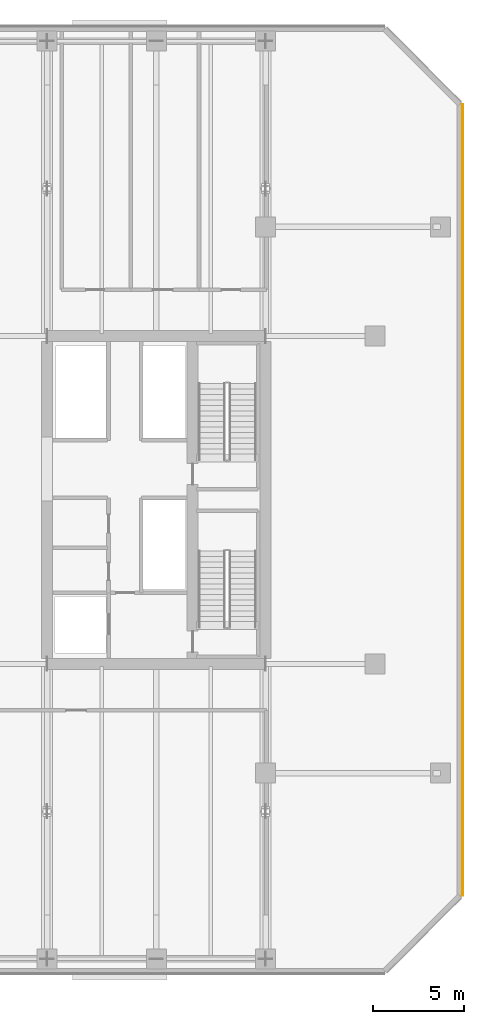
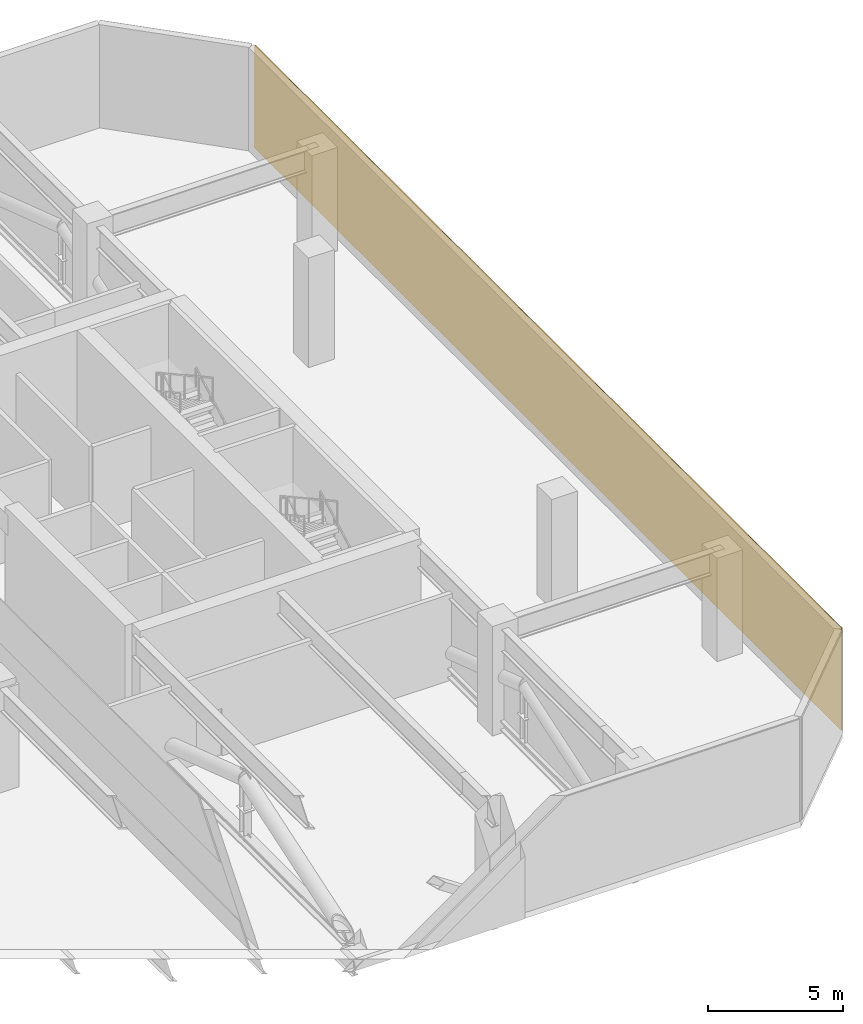
# One storey, part 21 of 22: 1 covering.
"""IFC4 building model written with IfcOpenShell, lengths in metres."""

from ifc_helpers import new_model, si_unit, direction, frame, origin, origin_2d, place, context, subcontext, project, spatial, rectangle, extrude, material, layer, layer_set, type_object, element, save


model = new_model("IFC4")

# Units and contexts
model_context = context("Model", 3, precision=1e-05, world=origin(), true_north=direction((0.0, 1.0)))
body_context = subcontext(model_context, "Body", "Model", "MODEL_VIEW")
ifc_project = project(units=[si_unit("LENGTHUNIT", "METRE"), si_unit("AREAUNIT", "SQUARE_METRE"), si_unit("VOLUMEUNIT", "CUBIC_METRE"), si_unit("PLANEANGLEUNIT", "RADIAN"), si_unit("MASSUNIT", "GRAM", prefix="KILO")], contexts=[model_context])

# Site, building, storey
site_placement = place(None, origin())
site = spatial("IfcSite", under=ifc_project, at=site_placement, CompositionType="ELEMENT")
building_placement = place(site_placement, origin())
building = spatial("IfcBuilding", under=site, at=building_placement, Name="Tanjung Sevakor Pilgrim Tower", CompositionType="ELEMENT")
storey_placement = place(building_placement, frame((0.0, 0.0, 73.260009765625)))
storey = spatial("IfcBuildingStorey", under=building, at=storey_placement, Name="L20", CompositionType="ELEMENT", Elevation=73.260009765625)

# Covering
ifc_material = material(Name="Reconstructed Limestone Cladding", Category="masonry")
ifc_layer = layer(ifc_material, 0.044921875)
ifc_layer_set = layer_set([ifc_layer], Name="COV-CLAD-LIMESTONE")
covering_type = type_object("IfcCoveringType", Name="COV-CLAD-LIMESTONE", PredefinedType="CLADDING", material=ifc_layer_set)
covering_placement = place(storey_placement, frame((100.822509765625, 33.60009765625, 0.02001953125), z_axis=(0.0, 0.0, 1.0), x_axis=(0.0, 1.0, 0.0)))
element("IfcCovering", 1, at=covering_placement, inside=storey, type_object=covering_type, Name="L20 Warm Limestone Wall Cladding EW-RFE-L20-3", PredefinedType="CLADDING", context=body_context, shape_type="SweptSolid", body=[
    extrude(rectangle(XDim=43.444091796875, YDim=0.044921875, at=origin_2d()), origin(), (0.0, 0.0, 1.0), 4.6298828125),
])

save(model, "model.ifc")
